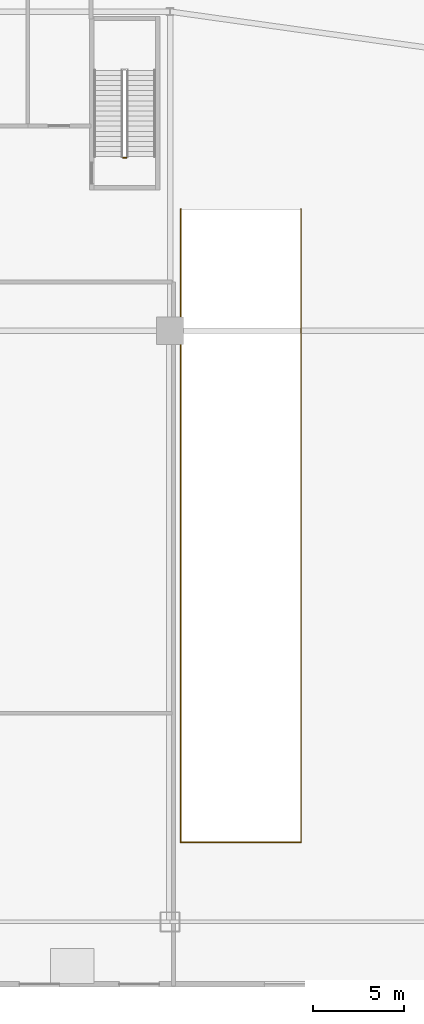
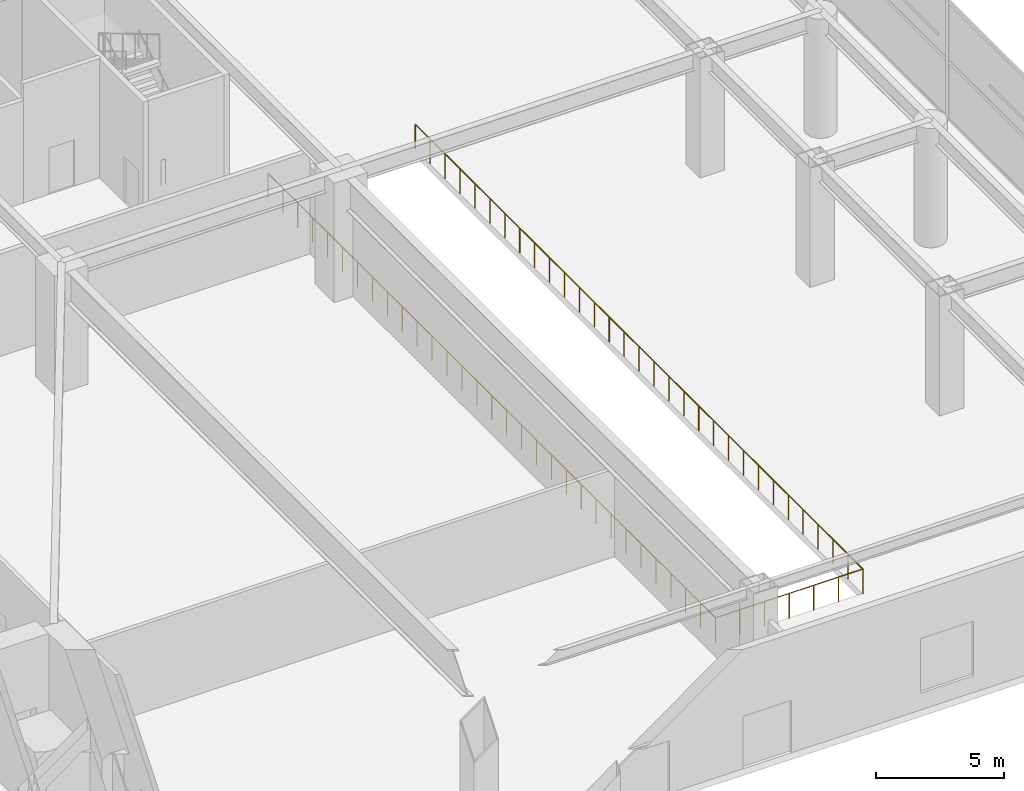
# One storey, part 17 of 20: 2 railings.
"""IFC4 building model written with IfcOpenShell, lengths in metres."""

from ifc_helpers import new_model, si_unit, direction, frame, origin, origin_2d, place, context, subcontext, project, spatial, circle, extrude, material, type_object, element, save


model = new_model("IFC4")

# Units and contexts
model_context = context("Model", 3, precision=1e-05, world=origin(), true_north=direction((0.0, 1.0)))
body_context = subcontext(model_context, "Body", "Model", "MODEL_VIEW")
ifc_project = project(units=[si_unit("LENGTHUNIT", "METRE"), si_unit("AREAUNIT", "SQUARE_METRE"), si_unit("VOLUMEUNIT", "CUBIC_METRE"), si_unit("PLANEANGLEUNIT", "RADIAN"), si_unit("MASSUNIT", "GRAM", prefix="KILO")], contexts=[model_context])

# Site, building, storey
site_placement = place(None, origin())
site = spatial("IfcSite", under=ifc_project, at=site_placement, CompositionType="ELEMENT")
building_placement = place(site_placement, origin())
building = spatial("IfcBuilding", under=site, at=building_placement, Name="Calvorn Quay Hotel", CompositionType="ELEMENT")
storey_placement = place(building_placement, origin())
storey = spatial("IfcBuildingStorey", under=building, at=storey_placement, Name="L00", CompositionType="ELEMENT", Elevation=0.0)

# Railings
ifc_material_1 = material(Name="Pale Anodised Aluminium and Laminated Glass", Category="aluminium")
railing_type_1 = type_object("IfcRailingType", Name="RLG-BALUSTRADE-1200", PredefinedType="BALUSTRADE", material=ifc_material_1)
railing_1_placement = place(storey_placement, frame((58.179931640625, 42.919921875, 0.0)))
element("IfcRailing", 1, at=railing_1_placement, inside=storey, type_object=railing_type_1, Name="Vehicle Ramp Well Safety Balustrade", PredefinedType="BALUSTRADE", context=body_context, shape_type="SweptSolid", body=[
    extrude(circle(Radius=0.02392578125, at=origin_2d()), frame((0.0, 0.0, 1.17578125), z_axis=(0.0, -1.0, 0.0), x_axis=(1.0, 0.0, 0.0)), (0.0, 0.0, 1.0), 34.93994140625),
    extrude(circle(Radius=0.02392578125, at=origin_2d()), frame((0.0, -34.93994140625, 1.17578125), z_axis=(1.0, 0.0, 0.0), x_axis=(0.0, 1.0, 0.0)), (0.0, 0.0, 1.0), 6.64013671875),
    extrude(circle(Radius=0.02392578125, at=origin_2d()), frame((6.64013671875, -34.93994140625, 1.17578125), z_axis=(0.0, 1.0, 0.0), x_axis=(-1.0, 0.0, 0.0)), (0.0, 0.0, 1.0), 34.93994140625),
    extrude(circle(Radius=0.02099609375, at=origin_2d()), origin(), (0.0, 0.0, 1.0), 1.15185546875),
    extrude(circle(Radius=0.02099609375, at=origin_2d()), frame((0.0, -1.16455078125, 0.0)), (0.0, 0.0, 1.0), 1.15185546875),
    extrude(circle(Radius=0.02099609375, at=origin_2d()), frame((0.0, -2.329345703125, 0.0)), (0.0, 0.0, 1.0), 1.15185546875),
    extrude(circle(Radius=0.02099609375, at=origin_2d()), frame((0.0, -3.493896484375, 0.0)), (0.0, 0.0, 1.0), 1.15185546875),
    extrude(circle(Radius=0.02099609375, at=origin_2d()), frame((0.0, -4.65869140625, 0.0)), (0.0, 0.0, 1.0), 1.15185546875),
    extrude(circle(Radius=0.02099609375, at=origin_2d()), frame((0.0, -5.8232421875, 0.0)), (0.0, 0.0, 1.0), 1.15185546875),
    extrude(circle(Radius=0.02099609375, at=origin_2d()), frame((0.0, -6.988037109375, 0.0)), (0.0, 0.0, 1.0), 1.15185546875),
    extrude(circle(Radius=0.02099609375, at=origin_2d()), frame((0.0, -8.152587890625, 0.0)), (0.0, 0.0, 1.0), 1.15185546875),
    extrude(circle(Radius=0.02099609375, at=origin_2d()), frame((0.0, -9.3173828125, 0.0)), (0.0, 0.0, 1.0), 1.15185546875),
    extrude(circle(Radius=0.02099609375, at=origin_2d()), frame((0.0, -10.48193359375, 0.0)), (0.0, 0.0, 1.0), 1.15185546875),
    extrude(circle(Radius=0.02099609375, at=origin_2d()), frame((0.0, -11.646728515625, 0.0)), (0.0, 0.0, 1.0), 1.15185546875),
    extrude(circle(Radius=0.02099609375, at=origin_2d()), frame((0.0, -12.811279296875, 0.0)), (0.0, 0.0, 1.0), 1.15185546875),
    extrude(circle(Radius=0.02099609375, at=origin_2d()), frame((0.0, -13.97607421875, 0.0)), (0.0, 0.0, 1.0), 1.15185546875),
    extrude(circle(Radius=0.02099609375, at=origin_2d()), frame((0.0, -15.140625, 0.0)), (0.0, 0.0, 1.0), 1.15185546875),
    extrude(circle(Radius=0.02099609375, at=origin_2d()), frame((0.0, -16.305419921875, 0.0)), (0.0, 0.0, 1.0), 1.15185546875),
    extrude(circle(Radius=0.02099609375, at=origin_2d()), frame((0.0, -17.469970703125, 0.0)), (0.0, 0.0, 1.0), 1.15185546875),
    extrude(circle(Radius=0.02099609375, at=origin_2d()), frame((0.0, -18.634521484375, 0.0)), (0.0, 0.0, 1.0), 1.15185546875),
    extrude(circle(Radius=0.02099609375, at=origin_2d()), frame((0.0, -19.79931640625, 0.0)), (0.0, 0.0, 1.0), 1.15185546875),
    extrude(circle(Radius=0.02099609375, at=origin_2d()), frame((0.0, -20.9638671875, 0.0)), (0.0, 0.0, 1.0), 1.15185546875),
    extrude(circle(Radius=0.02099609375, at=origin_2d()), frame((0.0, -22.128662109375, 0.0)), (0.0, 0.0, 1.0), 1.15185546875),
    extrude(circle(Radius=0.02099609375, at=origin_2d()), frame((0.0, -23.293212890625, 0.0)), (0.0, 0.0, 1.0), 1.15185546875),
    extrude(circle(Radius=0.02099609375, at=origin_2d()), frame((0.0, -24.4580078125, 0.0)), (0.0, 0.0, 1.0), 1.15185546875),
    extrude(circle(Radius=0.02099609375, at=origin_2d()), frame((0.0, -25.62255859375, 0.0)), (0.0, 0.0, 1.0), 1.15185546875),
    extrude(circle(Radius=0.02099609375, at=origin_2d()), frame((0.0, -26.787353515625, 0.0)), (0.0, 0.0, 1.0), 1.15185546875),
    extrude(circle(Radius=0.02099609375, at=origin_2d()), frame((0.0, -27.951904296875, 0.0)), (0.0, 0.0, 1.0), 1.15185546875),
    extrude(circle(Radius=0.02099609375, at=origin_2d()), frame((0.0, -29.11669921875, 0.0)), (0.0, 0.0, 1.0), 1.15185546875),
    extrude(circle(Radius=0.02099609375, at=origin_2d()), frame((0.0, -30.28125, 0.0)), (0.0, 0.0, 1.0), 1.15185546875),
    extrude(circle(Radius=0.02099609375, at=origin_2d()), frame((0.0, -31.446044921875, 0.0)), (0.0, 0.0, 1.0), 1.15185546875),
    extrude(circle(Radius=0.02099609375, at=origin_2d()), frame((0.0, -32.610595703125, 0.0)), (0.0, 0.0, 1.0), 1.15185546875),
    extrude(circle(Radius=0.02099609375, at=origin_2d()), frame((0.0, -33.775390625, 0.0)), (0.0, 0.0, 1.0), 1.15185546875),
    extrude(circle(Radius=0.02099609375, at=origin_2d()), frame((0.0, -34.93994140625, 0.0)), (0.0, 0.0, 1.0), 1.15185546875),
    extrude(circle(Radius=0.02099609375, at=origin_2d()), frame((1.106689453125, -34.93994140625, 0.0)), (0.0, 0.0, 1.0), 1.15185546875),
    extrude(circle(Radius=0.02099609375, at=origin_2d()), frame((2.21337890625, -34.93994140625, 0.0)), (0.0, 0.0, 1.0), 1.15185546875),
    extrude(circle(Radius=0.02099609375, at=origin_2d()), frame((3.320068359375, -34.93994140625, 0.0)), (0.0, 0.0, 1.0), 1.15185546875),
    extrude(circle(Radius=0.02099609375, at=origin_2d()), frame((4.4267578125, -34.93994140625, 0.0)), (0.0, 0.0, 1.0), 1.15185546875),
    extrude(circle(Radius=0.02099609375, at=origin_2d()), frame((5.533447265625, -34.93994140625, 0.0)), (0.0, 0.0, 1.0), 1.15185546875),
    extrude(circle(Radius=0.02099609375, at=origin_2d()), frame((6.64013671875, -34.93994140625, 0.0)), (0.0, 0.0, 1.0), 1.15185546875),
    extrude(circle(Radius=0.02099609375, at=origin_2d()), frame((6.64013671875, -33.775390625, 0.0)), (0.0, 0.0, 1.0), 1.15185546875),
    extrude(circle(Radius=0.02099609375, at=origin_2d()), frame((6.64013671875, -32.610595703125, 0.0)), (0.0, 0.0, 1.0), 1.15185546875),
    extrude(circle(Radius=0.02099609375, at=origin_2d()), frame((6.64013671875, -31.446044921875, 0.0)), (0.0, 0.0, 1.0), 1.15185546875),
    extrude(circle(Radius=0.02099609375, at=origin_2d()), frame((6.64013671875, -30.28125, 0.0)), (0.0, 0.0, 1.0), 1.15185546875),
    extrude(circle(Radius=0.02099609375, at=origin_2d()), frame((6.64013671875, -29.11669921875, 0.0)), (0.0, 0.0, 1.0), 1.15185546875),
    extrude(circle(Radius=0.02099609375, at=origin_2d()), frame((6.64013671875, -27.951904296875, 0.0)), (0.0, 0.0, 1.0), 1.15185546875),
    extrude(circle(Radius=0.02099609375, at=origin_2d()), frame((6.64013671875, -26.787353515625, 0.0)), (0.0, 0.0, 1.0), 1.15185546875),
    extrude(circle(Radius=0.02099609375, at=origin_2d()), frame((6.64013671875, -25.62255859375, 0.0)), (0.0, 0.0, 1.0), 1.15185546875),
    extrude(circle(Radius=0.02099609375, at=origin_2d()), frame((6.64013671875, -24.4580078125, 0.0)), (0.0, 0.0, 1.0), 1.15185546875),
    extrude(circle(Radius=0.02099609375, at=origin_2d()), frame((6.64013671875, -23.293212890625, 0.0)), (0.0, 0.0, 1.0), 1.15185546875),
    extrude(circle(Radius=0.02099609375, at=origin_2d()), frame((6.64013671875, -22.128662109375, 0.0)), (0.0, 0.0, 1.0), 1.15185546875),
    extrude(circle(Radius=0.02099609375, at=origin_2d()), frame((6.64013671875, -20.9638671875, 0.0)), (0.0, 0.0, 1.0), 1.15185546875),
    extrude(circle(Radius=0.02099609375, at=origin_2d()), frame((6.64013671875, -19.79931640625, 0.0)), (0.0, 0.0, 1.0), 1.15185546875),
    extrude(circle(Radius=0.02099609375, at=origin_2d()), frame((6.64013671875, -18.634521484375, 0.0)), (0.0, 0.0, 1.0), 1.15185546875),
    extrude(circle(Radius=0.02099609375, at=origin_2d()), frame((6.64013671875, -17.469970703125, 0.0)), (0.0, 0.0, 1.0), 1.15185546875),
    extrude(circle(Radius=0.02099609375, at=origin_2d()), frame((6.64013671875, -16.305419921875, 0.0)), (0.0, 0.0, 1.0), 1.15185546875),
    extrude(circle(Radius=0.02099609375, at=origin_2d()), frame((6.64013671875, -15.140625, 0.0)), (0.0, 0.0, 1.0), 1.15185546875),
    extrude(circle(Radius=0.02099609375, at=origin_2d()), frame((6.64013671875, -13.97607421875, 0.0)), (0.0, 0.0, 1.0), 1.15185546875),
    extrude(circle(Radius=0.02099609375, at=origin_2d()), frame((6.64013671875, -12.811279296875, 0.0)), (0.0, 0.0, 1.0), 1.15185546875),
    extrude(circle(Radius=0.02099609375, at=origin_2d()), frame((6.64013671875, -11.646728515625, 0.0)), (0.0, 0.0, 1.0), 1.15185546875),
    extrude(circle(Radius=0.02099609375, at=origin_2d()), frame((6.64013671875, -10.48193359375, 0.0)), (0.0, 0.0, 1.0), 1.15185546875),
    extrude(circle(Radius=0.02099609375, at=origin_2d()), frame((6.64013671875, -9.3173828125, 0.0)), (0.0, 0.0, 1.0), 1.15185546875),
    extrude(circle(Radius=0.02099609375, at=origin_2d()), frame((6.64013671875, -8.152587890625, 0.0)), (0.0, 0.0, 1.0), 1.15185546875),
    extrude(circle(Radius=0.02099609375, at=origin_2d()), frame((6.64013671875, -6.988037109375, 0.0)), (0.0, 0.0, 1.0), 1.15185546875),
    extrude(circle(Radius=0.02099609375, at=origin_2d()), frame((6.64013671875, -5.8232421875, 0.0)), (0.0, 0.0, 1.0), 1.15185546875),
    extrude(circle(Radius=0.02099609375, at=origin_2d()), frame((6.64013671875, -4.65869140625, 0.0)), (0.0, 0.0, 1.0), 1.15185546875),
    extrude(circle(Radius=0.02099609375, at=origin_2d()), frame((6.64013671875, -3.493896484375, 0.0)), (0.0, 0.0, 1.0), 1.15185546875),
    extrude(circle(Radius=0.02099609375, at=origin_2d()), frame((6.64013671875, -2.329345703125, 0.0)), (0.0, 0.0, 1.0), 1.15185546875),
    extrude(circle(Radius=0.02099609375, at=origin_2d()), frame((6.64013671875, -1.16455078125, 0.0)), (0.0, 0.0, 1.0), 1.15185546875),
    extrude(circle(Radius=0.02099609375, at=origin_2d()), frame((6.64013671875, 0.0, 0.0)), (0.0, 0.0, 1.0), 1.15185546875),
])
ifc_material_2 = material(Name="Painted Galvanised Steel Balustrade", Category="steel")
railing_type_2 = type_object("IfcRailingType", Name="RLG-STAIR-GUARD-1120", PredefinedType="GUARDRAIL", material=ifc_material_2)
railing_2_placement = place(storey_placement, frame((55.199951171875, 45.75, 0.0)))
element("IfcRailing", 2, at=railing_2_placement, inside=storey, type_object=railing_type_2, Name="L00 ST-P1 stair guard 4", PredefinedType="GUARDRAIL", context=body_context, shape_type="SweptSolid", body=[
    extrude(circle(Radius=0.02392578125, at=origin_2d()), frame((0.0, 0.0, 1.17578125), z_axis=(-1.0, 0.0, 0.0), x_axis=(0.0, -1.0, 0.0)), (0.0, 0.0, 1.0), 0.199951171875),
    extrude(circle(Radius=0.02099609375, at=origin_2d()), origin(), (0.0, 0.0, 1.0), 1.15185546875),
    extrude(circle(Radius=0.02099609375, at=origin_2d()), frame((-0.199951171875, 0.0, 0.0)), (0.0, 0.0, 1.0), 1.15185546875),
])

save(model, "model.ifc")
